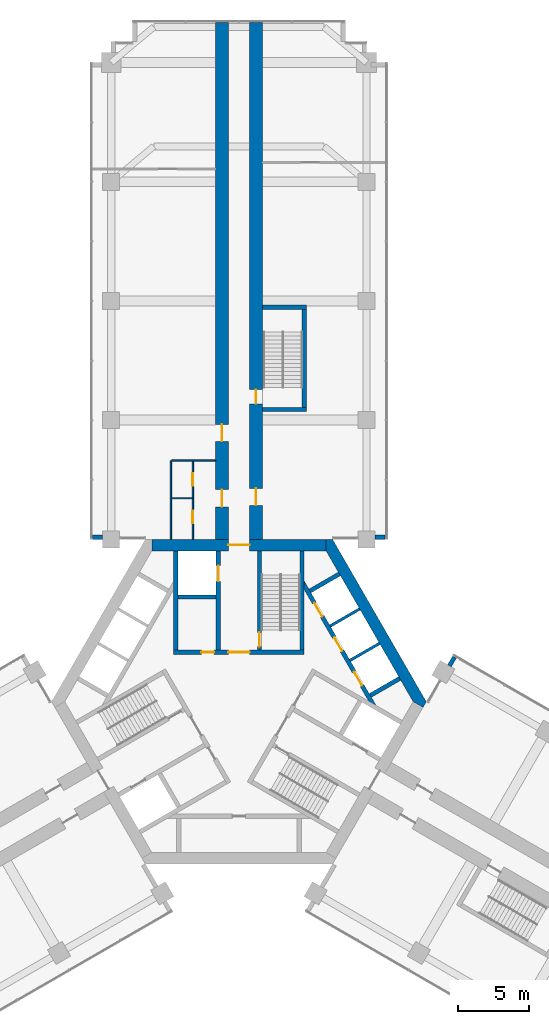
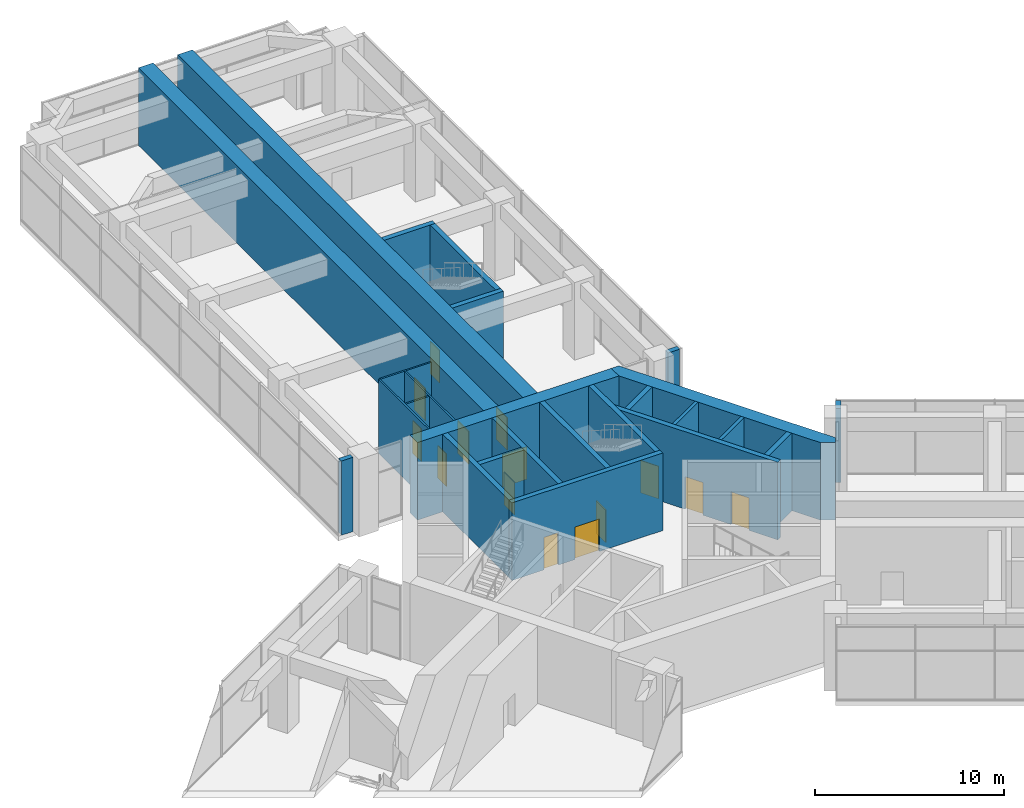
# One storey, part 17 of 20: 25 walls, 14 doors, 14 openings.
"""IFC4 building model written with IfcOpenShell, lengths in metres."""

from ifc_helpers import new_model, si_unit, direction, frame, frame_2d, origin, place, context, subcontext, project, spatial, polyline, rectangle, outline, extrude, material, layer, layer_set, type_object, element, fill, save


model = new_model("IFC4")

# Units and contexts
model_context = context("Model", 3, precision=1e-05, world=origin(), true_north=direction((0.0, 1.0)))
body_context = subcontext(model_context, "Body", "Model", "MODEL_VIEW")
ifc_project = project(units=[si_unit("LENGTHUNIT", "METRE"), si_unit("AREAUNIT", "SQUARE_METRE"), si_unit("VOLUMEUNIT", "CUBIC_METRE"), si_unit("PLANEANGLEUNIT", "RADIAN"), si_unit("MASSUNIT", "GRAM", prefix="KILO")], contexts=[model_context])

# Site, building, storey
site_placement = place(None, origin())
site = spatial("IfcSite", under=ifc_project, at=site_placement, CompositionType="ELEMENT")
building_placement = place(site_placement, origin())
building = spatial("IfcBuilding", under=site, at=building_placement, Name="Impinga Residences", CompositionType="ELEMENT")
storey_placement = place(building_placement, frame((0.0, 0.0, 101.0)))
storey = spatial("IfcBuildingStorey", under=building, at=storey_placement, Name="L24", CompositionType="ELEMENT", Elevation=101.0)

# Wall, openings, doors
ifc_material_1 = material(Name="Concrete C60/75", Category="concrete")
ifc_layer_1 = layer(ifc_material_1, 0.89990234375)
ifc_layer_set_1 = layer_set([ifc_layer_1], Name="Concrete C60/75")
wall_type_1 = type_object("IfcWallType", Name="BW2 corridor buttress wall, L24 to L44 900", PredefinedType="SHEAR", material=ifc_layer_set_1)
wall_1_placement = place(storey_placement, frame((-1.199951171875, 11.031494140625, 0.0), z_axis=(0.0, 0.0, 1.0), x_axis=(0.0, 1.0, 0.0)))
wall_1 = element("IfcWall", 1, at=wall_1_placement, inside=storey, type_object=wall_type_1, Name="Corridor wall BW2 NC L24", PredefinedType="SHEAR", context=body_context, shape_type="SweptSolid", body=[
    extrude(rectangle(XDim=36.838134765625, YDim=0.89990234375, at=frame_2d((18.4189453125, 0.0))), origin(), (0.0, 0.0, 1.0), 5.0),
])
opening_1_placement = place(wall_1_placement, frame((2.699951171875, 0.0, 0.0)))
opening_1 = element("IfcOpeningElement", 2, at=opening_1_placement, cuts=wall_1, Name="Opening D3", PredefinedType="OPENING", context=body_context, shape_type="SweptSolid", body=[
    extrude(rectangle(XDim=1.199951171875, YDim=2.10009765625, at=frame_2d((0.60009765625, 1.050048828125))), frame((0.0, 0.4599609375, 0.0), z_axis=(0.0, -1.0, 0.0), x_axis=(1.0, 0.0, 0.0)), (0.0, 0.0, 1.0), 0.919921875),
])
opening_2_placement = place(wall_1_placement, frame((7.300048828125, 0.0, 0.0)))
opening_2 = element("IfcOpeningElement", 3, at=opening_2_placement, cuts=wall_1, Name="Opening D3", PredefinedType="OPENING", context=body_context, shape_type="SweptSolid", body=[
    extrude(rectangle(XDim=1.199951171875, YDim=2.10009765625, at=frame_2d((0.60009765625, 1.050048828125))), frame((0.0, 0.4599609375, 0.0), z_axis=(0.0, -1.0, 0.0), x_axis=(1.0, 0.0, 0.0)), (0.0, 0.0, 1.0), 0.919921875),
])
ifc_material_2 = material(Name="Timber door set", Category="wood")
door_type_1 = type_object("IfcDoorType", Name="D3 room door, leaf and a half 1200x2100", OperationType="DOUBLE_SWING_LEFT", PredefinedType="DOOR", material=ifc_material_2)
door_1_placement = place(opening_1_placement, origin())
door_1 = element("IfcDoor", 4, at=door_1_placement, inside=storey, type_object=door_type_1, Name="WC lobby door L24-NA1", OperationType="DOUBLE_SWING_LEFT", OverallHeight=2.10009765625, OverallWidth=1.199951171875, PredefinedType="DOOR", context=body_context, shape_type="SweptSolid", body=[
    extrude(rectangle(XDim=1.199951171875, YDim=2.10009765625, at=frame_2d((0.60009765625, 1.050048828125))), frame((0.0, 0.02490234375, 0.0), z_axis=(0.0, -1.0, 0.0), x_axis=(1.0, 0.0, 0.0)), (0.0, 0.0, 1.0), 0.050048828125),
])
fill(opening_1, door_1)
door_2_placement = place(opening_2_placement, origin())
door_2 = element("IfcDoor", 5, at=door_2_placement, inside=storey, type_object=door_type_1, Name="Sky lounge door L24-NA1", OperationType="DOUBLE_SWING_LEFT", OverallHeight=2.10009765625, OverallWidth=1.199951171875, PredefinedType="DOOR", context=body_context, shape_type="SweptSolid", body=[
    extrude(rectangle(XDim=1.199951171875, YDim=2.10009765625, at=frame_2d((0.60009765625, 1.050048828125))), frame((0.0, 0.02490234375, 0.0), z_axis=(0.0, -1.0, 0.0), x_axis=(1.0, 0.0, 0.0)), (0.0, 0.0, 1.0), 0.050048828125),
])
fill(opening_2, door_2)

wall_2_placement = place(storey_placement, frame((1.199951171875, 11.031494140625, 0.0), z_axis=(0.0, 0.0, 1.0), x_axis=(0.0, 1.0, 0.0)))
wall_2 = element("IfcWall", 6, at=wall_2_placement, inside=storey, type_object=wall_type_1, Name="Corridor wall BW2 ND L24", PredefinedType="SHEAR", context=body_context, shape_type="SweptSolid", body=[
    extrude(rectangle(XDim=36.838134765625, YDim=0.89990234375, at=frame_2d((18.4189453125, 0.0))), origin(), (0.0, 0.0, 1.0), 5.0),
])
opening_3_placement = place(wall_2_placement, frame((9.949951171875, 0.0, 0.0)))
opening_3 = element("IfcOpeningElement", 7, at=opening_3_placement, cuts=wall_2, Name="Opening D5", PredefinedType="OPENING", context=body_context, shape_type="SweptSolid", body=[
    extrude(rectangle(XDim=1.0, YDim=2.10009765625, at=frame_2d((0.5, 1.050048828125))), frame((0.0, 0.4599609375, 0.0), z_axis=(0.0, -1.0, 0.0), x_axis=(1.0, 0.0, 0.0)), (0.0, 0.0, 1.0), 0.919921875),
])
opening_4_placement = place(wall_2_placement, frame((2.800048828125, 0.0, 0.0)))
opening_4 = element("IfcOpeningElement", 8, at=opening_4_placement, cuts=wall_2, Name="Opening D3", PredefinedType="OPENING", context=body_context, shape_type="SweptSolid", body=[
    extrude(rectangle(XDim=1.199951171875, YDim=2.10009765625, at=frame_2d((0.60009765625, 1.050048828125))), frame((0.0, 0.4599609375, 0.0), z_axis=(0.0, -1.0, 0.0), x_axis=(1.0, 0.0, 0.0)), (0.0, 0.0, 1.0), 0.919921875),
])
door_3_placement = place(opening_4_placement, origin())
door_3 = element("IfcDoor", 9, at=door_3_placement, inside=storey, type_object=door_type_1, Name="Sky library door L24-NF1", OperationType="DOUBLE_SWING_LEFT", OverallHeight=2.10009765625, OverallWidth=1.199951171875, PredefinedType="DOOR", context=body_context, shape_type="SweptSolid", body=[
    extrude(rectangle(XDim=1.199951171875, YDim=2.10009765625, at=frame_2d((0.60009765625, 1.050048828125))), frame((0.0, 0.02490234375, 0.0), z_axis=(0.0, -1.0, 0.0), x_axis=(1.0, 0.0, 0.0)), (0.0, 0.0, 1.0), 0.050048828125),
])
fill(opening_4, door_3)
door_type_2 = type_object("IfcDoorType", Name="D5 stair door 1000x2100", OperationType="SINGLE_SWING_LEFT", PredefinedType="DOOR", material=ifc_material_2)
door_4_placement = place(opening_3_placement, origin())
door_4 = element("IfcDoor", 10, at=door_4_placement, inside=storey, type_object=door_type_2, Name="Wing stair door N", OperationType="SINGLE_SWING_LEFT", OverallHeight=2.10009765625, OverallWidth=1.0, PredefinedType="DOOR", context=body_context, shape_type="SweptSolid", body=[
    extrude(rectangle(XDim=1.0, YDim=2.10009765625, at=frame_2d((0.5, 1.050048828125))), frame((0.0, 0.02490234375, 0.0), z_axis=(0.0, -1.0, 0.0), x_axis=(1.0, 0.0, 0.0)), (0.0, 0.0, 1.0), 0.050048828125),
])
fill(opening_3, door_4)

# Walls
ifc_material_3 = material(Name="Stone facing on blockwork", Category="masonry")
ifc_layer_2 = layer(ifc_material_3, 0.300048828125)
ifc_layer_set_2 = layer_set([ifc_layer_2], Name="EW2 external wall, stone facing on blockwork 300")
wall_type_2 = type_object("IfcWallType", Name="EW2 external wall, stone facing on blockwork 300", PredefinedType="SOLIDWALL", material=ifc_layer_set_2)
for number, where, z_axis, x_axis, name in (
    (11, (-9.60302734375, 11.58154296875, 0.0), (0.0, 0.0, 1.0), (-1.0, 0.0, 0.0), "External wall EW2 L24"),
    (12, (10.304931640625, 11.58154296875, 0.0), (0.0, 0.0, 1.0), (-1.0, 0.0, 0.0), "External wall EW2 L24"),
    (13, (14.831298828125, 2.525634765625, 0.0), (0.0, 0.0, 1.0), (0.500103763521, 0.865965487599, 0.0), "External wall EW2 L24"),
):
    element("IfcWall", number, at=place(storey_placement, frame(where, z_axis=z_axis, x_axis=x_axis)), inside=storey, type_object=wall_type_2, Name=name, PredefinedType="SOLIDWALL", context=body_context, shape_type="SweptSolid", body=[
        extrude(rectangle(XDim=0.701904296875, YDim=0.300048828125, at=frame_2d((0.35107421875, 0.0))), origin(), (0.0, 0.0, 1.0), 4.780029296875),
    ])

# Wall, openings, doors
ifc_material_4 = material(Name="Gypsum board on steel studs", Category="steel")
ifc_layer_3 = layer(ifc_material_4, 0.10009765625)
ifc_layer_set_3 = layer_set([ifc_layer_3], Name="Gypsum board on steel studs")
wall_type_3 = type_object("IfcWallType", Name="IP1 partition 100", PredefinedType="PARTITIONING", material=ifc_layer_set_3)
wall_3_placement = place(storey_placement, frame((-3.25, 11.431640625, 0.0), z_axis=(0.0, 0.0, 1.0), x_axis=(0.0, 1.0, 0.0)))
wall_3 = element("IfcWall", 14, at=wall_3_placement, inside=storey, type_object=wall_type_3, Name="Partition L24-NA1:L1", PredefinedType="PARTITIONING", context=body_context, shape_type="SweptSolid", body=[
    extrude(rectangle(XDim=5.599853515625, YDim=0.10009765625, at=frame_2d((2.7998046875, 0.0))), origin(), (0.0, 0.0, 1.0), 4.780029296875),
])
opening_5_placement = place(wall_3_placement, frame((1.125, 0.0, 0.0)))
opening_5 = element("IfcOpeningElement", 15, at=opening_5_placement, cuts=wall_3, Name="Opening D2", PredefinedType="OPENING", context=body_context, shape_type="SweptSolid", body=[
    extrude(rectangle(XDim=0.89990234375, YDim=2.10009765625, at=frame_2d((0.449951171875, 1.050048828125))), frame((0.0, 0.06005859375, 0.0), z_axis=(0.0, -1.0, 0.0), x_axis=(1.0, 0.0, 0.0)), (0.0, 0.0, 1.0), 0.1201171875),
])
opening_6_placement = place(wall_3_placement, frame((3.77490234375, 0.0, 0.0)))
opening_6 = element("IfcOpeningElement", 16, at=opening_6_placement, cuts=wall_3, Name="Opening D2", PredefinedType="OPENING", context=body_context, shape_type="SweptSolid", body=[
    extrude(rectangle(XDim=0.89990234375, YDim=2.10009765625, at=frame_2d((0.449951171875, 1.050048828125))), frame((0.0, 0.06005859375, 0.0), z_axis=(0.0, -1.0, 0.0), x_axis=(1.0, 0.0, 0.0)), (0.0, 0.0, 1.0), 0.1201171875),
])
door_type_3 = type_object("IfcDoorType", Name="D2 internal door 900x2100", OperationType="SINGLE_SWING_LEFT", PredefinedType="DOOR", material=ifc_material_2)
door_5_placement = place(opening_5_placement, origin())
door_5 = element("IfcDoor", 17, at=door_5_placement, inside=storey, type_object=door_type_3, Name="WC door L24-NA1", OperationType="SINGLE_SWING_LEFT", OverallHeight=2.10009765625, OverallWidth=0.89990234375, PredefinedType="DOOR", context=body_context, shape_type="SweptSolid", body=[
    extrude(rectangle(XDim=0.89990234375, YDim=2.10009765625, at=frame_2d((0.449951171875, 1.050048828125))), frame((0.0, 0.02490234375, 0.0), z_axis=(0.0, -1.0, 0.0), x_axis=(1.0, 0.0, 0.0)), (0.0, 0.0, 1.0), 0.050048828125),
])
fill(opening_5, door_5)
door_6_placement = place(opening_6_placement, origin())
door_6 = element("IfcDoor", 18, at=door_6_placement, inside=storey, type_object=door_type_3, Name="Accessible WC door L24-NA1", OperationType="SINGLE_SWING_RIGHT", OverallHeight=2.10009765625, OverallWidth=0.89990234375, PredefinedType="DOOR", context=body_context, shape_type="SweptSolid", body=[
    extrude(rectangle(XDim=0.89990234375, YDim=2.10009765625, at=frame_2d((0.449951171875, 1.050048828125))), frame((0.0, 0.02490234375, 0.0), z_axis=(0.0, -1.0, 0.0), x_axis=(1.0, 0.0, 0.0)), (0.0, 0.0, 1.0), 0.050048828125),
])
fill(opening_6, door_6)

# Walls
wall_4_placement = place(storey_placement, frame((-3.300048828125, 14.33154296875, 0.0), z_axis=(0.0, 0.0, 1.0), x_axis=(-1.0, 0.0, 0.0)))
element("IfcWall", 19, at=wall_4_placement, inside=storey, type_object=wall_type_3, Name="Partition L24-NA1:T1", PredefinedType="PARTITIONING", context=body_context, shape_type="SweptSolid", body=[
    extrude(rectangle(XDim=1.449951171875, YDim=0.10009765625, at=frame_2d((0.72509765625, 0.0))), origin(), (0.0, 0.0, 1.0), 4.780029296875),
])
wall_5_placement = place(storey_placement, frame((-4.800048828125, 11.431640625, 0.0), z_axis=(0.0, 0.0, 1.0), x_axis=(0.0, 1.0, 0.0)))
element("IfcWall", 20, at=wall_5_placement, inside=storey, type_object=wall_type_3, Name="Partition L24-NA1:T2", PredefinedType="PARTITIONING", context=body_context, shape_type="SweptSolid", body=[
    extrude(rectangle(XDim=5.5498046875, YDim=0.10009765625, at=frame_2d((2.77490234375, 0.0))), origin(), (0.0, 0.0, 1.0), 4.780029296875),
])
wall_6_placement = place(storey_placement, frame((-1.64990234375, 16.9814453125, 0.0), z_axis=(0.0, 0.0, 1.0), x_axis=(-1.0, 0.0, 0.0)))
element("IfcWall", 21, at=wall_6_placement, inside=storey, type_object=wall_type_3, Name="Partition L24-NA1:T3", PredefinedType="PARTITIONING", context=body_context, shape_type="SweptSolid", body=[
    extrude(rectangle(XDim=3.10009765625, YDim=0.10009765625, at=frame_2d((1.550048828125, 0.0))), origin(), (0.0, 0.0, 1.0), 4.780029296875),
])
ifc_layer_4 = layer(ifc_material_1, 0.300048828125)
ifc_layer_set_4 = layer_set([ifc_layer_4], Name="Concrete C60/75")
wall_type_4 = type_object("IfcWallType", Name="SE1 wing stair enclosure wall 300", PredefinedType="SOLIDWALL", material=ifc_layer_set_4)
for number, where, z_axis, x_axis, name in (
    (22, (1.64990234375, 20.58154296875, 0.0), (0.0, 0.0, 1.0), (1.0, 0.0, 0.0), "Stair enclosure wall SE1 N END0 L24"),
    (23, (1.64990234375, 27.781494140625, 0.0), (0.0, 0.0, 1.0), (1.0, 0.0, 0.0), "Stair enclosure wall SE1 N END1 L24"),
):
    element("IfcWall", number, at=place(storey_placement, frame(where, z_axis=z_axis, x_axis=x_axis)), inside=storey, type_object=wall_type_4, Name=name, PredefinedType="SOLIDWALL", context=body_context, shape_type="SweptSolid", body=[
        extrude(rectangle(XDim=3.10009765625, YDim=0.300048828125, at=frame_2d((1.550048828125, 0.0))), origin(), (0.0, 0.0, 1.0), 5.0),
    ])
wall_7_placement = place(storey_placement, frame((4.60009765625, 20.7314453125, 0.0), z_axis=(0.0, 0.0, 1.0), x_axis=(0.0, 1.0, 0.0)))
element("IfcWall", 24, at=wall_7_placement, inside=storey, type_object=wall_type_4, Name="Stair enclosure wall SE1 N OUT L24", PredefinedType="SOLIDWALL", context=body_context, shape_type="SweptSolid", body=[
    extrude(rectangle(XDim=6.900146484375, YDim=0.300048828125, at=frame_2d((3.4501953125, 0.0))), origin(), (0.0, 0.0, 1.0), 5.0),
])

# Wall, opening, door
ifc_layer_5 = layer(ifc_material_1, 0.800048828125)
ifc_layer_set_5 = layer_set([ifc_layer_5], Name="Concrete C60/75")
wall_type_5 = type_object("IfcWallType", Name="SW2 core wall 800", PredefinedType="SHEAR", material=ifc_layer_set_5)
wall_8_placement = place(storey_placement, frame((-6.13818359375, 11.031494140625, 0.0), z_axis=(0.0, 0.0, 1.0), x_axis=(1.0, 0.0, 0.0)))
wall_8 = element("IfcWall", 25, at=wall_8_placement, inside=storey, type_object=wall_type_5, Name="Core wall SW2 N:FACE L24", PredefinedType="SHEAR", context=body_context, shape_type="SweptSolid", body=[
    extrude(rectangle(XDim=12.2763671875, YDim=0.800048828125, at=frame_2d((6.13818359375, 0.0))), origin(), (0.0, 0.0, 1.0), 5.0),
])
opening_7_placement = place(wall_8_placement, frame((5.38818359375, 0.0, 0.0)))
opening_7 = element("IfcOpeningElement", 26, at=opening_7_placement, cuts=wall_8, Name="Opening D4", PredefinedType="OPENING", context=body_context, shape_type="SweptSolid", body=[
    extrude(rectangle(XDim=1.5, YDim=2.10009765625, at=frame_2d((0.75, 1.050048828125))), frame((0.0, 0.409912109375, 0.0), z_axis=(0.0, -1.0, 0.0), x_axis=(1.0, 0.0, 0.0)), (0.0, 0.0, 1.0), 0.820068359375),
])
door_type_4 = type_object("IfcDoorType", Name="D4 lobby door pair 1500x2100", OperationType="DOUBLE_DOOR_DOUBLE_SWING", PredefinedType="DOOR", material=ifc_material_2)
door_7_placement = place(opening_7_placement, origin())
door_7 = element("IfcDoor", 27, at=door_7_placement, inside=storey, type_object=door_type_4, Name="Lobby door N", OperationType="DOUBLE_DOOR_DOUBLE_SWING", OverallHeight=2.10009765625, OverallWidth=1.5, PredefinedType="DOOR", context=body_context, shape_type="SweptSolid", body=[
    extrude(rectangle(XDim=1.5, YDim=2.10009765625, at=frame_2d((0.75, 1.050048828125))), frame((0.0, 0.02490234375, 0.0), z_axis=(0.0, -1.0, 0.0), x_axis=(1.0, 0.0, 0.0)), (0.0, 0.0, 1.0), 0.050048828125),
])
fill(opening_7, door_7)

# Wall
wall_9_placement = place(storey_placement, origin())
element("IfcWall", 28, at=wall_9_placement, inside=storey, type_object=wall_type_5, Name="Core wall SW2 W:EXPOSED L24", PredefinedType="SHEAR", context=body_context, shape_type="SweptSolid", body=[
    extrude(outline(polyline([(13.199951171875, 0.0), (6.60009765625, 11.431640625), (6.13818359375, 11.431640625), (6.13818359375, 10.631591796875), (12.276123046875, 0.0), (12.968994140625, -0.39990234375), (13.199951171875, 0.0)])), origin(), (0.0, 0.0, 1.0), 5.0),
])

# Wall, openings, doors
ifc_material_5 = material(Name="Concrete C70/85", Category="concrete")
ifc_layer_6 = layer(ifc_material_5, 0.300048828125)
ifc_layer_set_6 = layer_set([ifc_layer_6], Name="Concrete C70/85")
wall_type_6 = type_object("IfcWallType", Name="SW5 core inner wall, stairs, shafts and lobbies 300", PredefinedType="SHEAR", material=ifc_layer_set_6)
wall_10_placement = place(storey_placement, frame((-4.60009765625, 3.47998046875, 0.0), z_axis=(0.0, 0.0, 1.0), x_axis=(1.0, 0.0, 0.0)))
wall_10 = element("IfcWall", 29, at=wall_10_placement, inside=storey, type_object=wall_type_6, Name="Core wall SW5 N:ZONE L24", PredefinedType="SHEAR", context=body_context, shape_type="SweptSolid", body=[
    extrude(rectangle(XDim=9.2001953125, YDim=0.300048828125, at=frame_2d((4.60009765625, 0.0))), origin(), (0.0, 0.0, 1.0), 5.0),
])
opening_8_placement = place(wall_10_placement, frame((3.85009765625, 0.0, 0.0)))
opening_8 = element("IfcOpeningElement", 30, at=opening_8_placement, cuts=wall_10, Name="Opening D4", PredefinedType="OPENING", context=body_context, shape_type="SweptSolid", body=[
    extrude(rectangle(XDim=1.5, YDim=2.10009765625, at=frame_2d((0.75, 1.050048828125))), frame((0.0, 0.159912109375, 0.0), z_axis=(0.0, -1.0, 0.0), x_axis=(1.0, 0.0, 0.0)), (0.0, 0.0, 1.0), 0.320068359375),
])
opening_9_placement = place(wall_10_placement, frame((1.949951171875, 0.0, 0.0)))
opening_9 = element("IfcOpeningElement", 31, at=opening_9_placement, cuts=wall_10, Name="Opening D6", PredefinedType="OPENING", context=body_context, shape_type="SweptSolid", body=[
    extrude(rectangle(XDim=0.89990234375, YDim=2.10009765625, at=frame_2d((0.449951171875, 1.050048828125))), frame((0.0, 0.159912109375, 0.0), z_axis=(0.0, -1.0, 0.0), x_axis=(1.0, 0.0, 0.0)), (0.0, 0.0, 1.0), 0.320068359375),
])
door_8_placement = place(opening_8_placement, origin())
door_8 = element("IfcDoor", 32, at=door_8_placement, inside=storey, type_object=door_type_4, Name="Firefighting lobby door N", OperationType="DOUBLE_DOOR_DOUBLE_SWING", OverallHeight=2.10009765625, OverallWidth=1.5, PredefinedType="DOOR", context=body_context, shape_type="SweptSolid", body=[
    extrude(rectangle(XDim=1.5, YDim=2.10009765625, at=frame_2d((0.75, 1.050048828125))), frame((0.0, 0.02490234375, 0.0), z_axis=(0.0, -1.0, 0.0), x_axis=(1.0, 0.0, 0.0)), (0.0, 0.0, 1.0), 0.050048828125),
])
fill(opening_8, door_8)
door_type_5 = type_object("IfcDoorType", Name="D6 riser and store door 900x2100", OperationType="SINGLE_SWING_LEFT", PredefinedType="DOOR", material=ifc_material_2)
door_9_placement = place(opening_9_placement, origin())
door_9 = element("IfcDoor", 33, at=door_9_placement, inside=storey, type_object=door_type_5, Name="Riser door N", OperationType="SINGLE_SWING_LEFT", OverallHeight=2.10009765625, OverallWidth=0.89990234375, PredefinedType="DOOR", context=body_context, shape_type="SweptSolid", body=[
    extrude(rectangle(XDim=0.89990234375, YDim=2.10009765625, at=frame_2d((0.449951171875, 1.050048828125))), frame((0.0, 0.02490234375, 0.0), z_axis=(0.0, -1.0, 0.0), x_axis=(1.0, 0.0, 0.0)), (0.0, 0.0, 1.0), 0.050048828125),
])
fill(opening_9, door_9)

# Wall, opening, door
wall_11_placement = place(storey_placement, frame((1.449951171875, 3.6298828125, 0.0), z_axis=(0.0, 0.0, 1.0), x_axis=(0.0, 1.0, 0.0)))
wall_11 = element("IfcWall", 34, at=wall_11_placement, inside=storey, type_object=wall_type_6, Name="Core wall SW5 N:ST-IN L24", PredefinedType="SHEAR", context=body_context, shape_type="SweptSolid", body=[
    extrude(rectangle(XDim=7.001708984375, YDim=0.300048828125, at=frame_2d((3.5009765625, 0.0))), origin(), (0.0, 0.0, 1.0), 5.0),
])
opening_10_placement = place(wall_11_placement, frame((0.25, 0.0, 0.0)))
opening_10 = element("IfcOpeningElement", 35, at=opening_10_placement, cuts=wall_11, Name="Opening D5", PredefinedType="OPENING", context=body_context, shape_type="SweptSolid", body=[
    extrude(rectangle(XDim=1.0, YDim=2.10009765625, at=frame_2d((0.5, 1.050048828125))), frame((0.0, 0.159912109375, 0.0), z_axis=(0.0, -1.0, 0.0), x_axis=(1.0, 0.0, 0.0)), (0.0, 0.0, 1.0), 0.320068359375),
])
door_10_placement = place(opening_10_placement, origin())
door_10 = element("IfcDoor", 36, at=door_10_placement, inside=storey, type_object=door_type_2, Name="Stair door N", OperationType="SINGLE_SWING_LEFT", OverallHeight=2.10009765625, OverallWidth=1.0, PredefinedType="DOOR", context=body_context, shape_type="SweptSolid", body=[
    extrude(rectangle(XDim=1.0, YDim=2.10009765625, at=frame_2d((0.5, 1.050048828125))), frame((0.0, 0.02490234375, 0.0), z_axis=(0.0, -1.0, 0.0), x_axis=(1.0, 0.0, 0.0)), (0.0, 0.0, 1.0), 0.050048828125),
])
fill(opening_10, door_10)

# Wall
wall_12_placement = place(storey_placement, frame((4.449951171875, 3.6298828125, 0.0), z_axis=(0.0, 0.0, 1.0), x_axis=(0.0, 1.0, 0.0)))
element("IfcWall", 37, at=wall_12_placement, inside=storey, type_object=wall_type_6, Name="Core wall SW5 N:ST-OUT L24", PredefinedType="SHEAR", context=body_context, shape_type="SweptSolid", body=[
    extrude(rectangle(XDim=7.001708984375, YDim=0.300048828125, at=frame_2d((3.5009765625, 0.0))), origin(), (0.0, 0.0, 1.0), 5.0),
])

# Wall, opening, door
wall_13_placement = place(storey_placement, frame((-1.449951171875, 3.6298828125, 0.0), z_axis=(0.0, 0.0, 1.0), x_axis=(0.0, 1.0, 0.0)))
wall_13 = element("IfcWall", 38, at=wall_13_placement, inside=storey, type_object=wall_type_6, Name="Core wall SW5 N:FF-IN L24", PredefinedType="SHEAR", context=body_context, shape_type="SweptSolid", body=[
    extrude(rectangle(XDim=7.001708984375, YDim=0.300048828125, at=frame_2d((3.5009765625, 0.0))), origin(), (0.0, 0.0, 1.0), 5.0),
])
opening_11_placement = place(wall_13_placement, frame((4.85009765625, 0.0, 0.0)))
opening_11 = element("IfcOpeningElement", 39, at=opening_11_placement, cuts=wall_13, Name="Opening LD2", PredefinedType="OPENING", context=body_context, shape_type="SweptSolid", body=[
    extrude(rectangle(XDim=1.10009765625, YDim=2.10009765625, at=frame_2d((0.550048828125, 1.050048828125))), frame((0.0, 0.159912109375, 0.0), z_axis=(0.0, -1.0, 0.0), x_axis=(1.0, 0.0, 0.0)), (0.0, 0.0, 1.0), 0.320068359375),
])
ifc_material_6 = material(Name="Steel lift landing door", Category="steel")
door_type_6 = type_object("IfcDoorType", Name="LD2 firefighting lift landing door 1100x2100", OperationType="DOUBLE_DOOR_SLIDING", PredefinedType="DOOR", material=ifc_material_6)
door_11_placement = place(opening_11_placement, origin())
door_11 = element("IfcDoor", 40, at=door_11_placement, inside=storey, type_object=door_type_6, Name="Firefighting lift landing door F1", OperationType="DOUBLE_DOOR_SLIDING", OverallHeight=2.10009765625, OverallWidth=1.10009765625, PredefinedType="DOOR", context=body_context, shape_type="SweptSolid", body=[
    extrude(rectangle(XDim=1.10009765625, YDim=2.10009765625, at=frame_2d((0.550048828125, 1.050048828125))), frame((0.0, 0.02490234375, 0.0), z_axis=(0.0, -1.0, 0.0), x_axis=(1.0, 0.0, 0.0)), (0.0, 0.0, 1.0), 0.050048828125),
])
fill(opening_11, door_11)

# Walls
wall_14_placement = place(storey_placement, frame((-4.449951171875, 3.6298828125, 0.0), z_axis=(0.0, 0.0, 1.0), x_axis=(0.0, 1.0, 0.0)))
element("IfcWall", 41, at=wall_14_placement, inside=storey, type_object=wall_type_6, Name="Core wall SW5 N:FF-OUT L24", PredefinedType="SHEAR", context=body_context, shape_type="SweptSolid", body=[
    extrude(rectangle(XDim=7.001708984375, YDim=0.300048828125, at=frame_2d((3.5009765625, 0.0))), origin(), (0.0, 0.0, 1.0), 5.0),
])
wall_15_placement = place(storey_placement, frame((-4.300048828125, 7.3798828125, 0.0), z_axis=(0.0, 0.0, 1.0), x_axis=(1.0, 0.0, 0.0)))
element("IfcWall", 42, at=wall_15_placement, inside=storey, type_object=wall_type_6, Name="Core wall SW5 N:FF-RS L24", PredefinedType="SHEAR", context=body_context, shape_type="SweptSolid", body=[
    extrude(rectangle(XDim=2.699951171875, YDim=0.300048828125, at=frame_2d((1.35009765625, 0.0))), origin(), (0.0, 0.0, 1.0), 5.0),
])

# Wall, openings, doors
wall_16_placement = place(storey_placement, frame((4.449951171875, 8.455322265625, 0.0), z_axis=(0.0, 0.0, 1.0), x_axis=(0.500002290144, -0.866024081565, 0.0)))
wall_16 = element("IfcWall", 43, at=wall_16_placement, inside=storey, type_object=wall_type_6, Name="Core wall SW5 W:BANK-FRONT L24", PredefinedType="SHEAR", context=body_context, shape_type="SweptSolid", body=[
    extrude(rectangle(XDim=10.1953125, YDim=0.300048828125, at=frame_2d((5.09765625, 0.0))), origin(), (0.0, 0.0, 1.0), 5.0),
])
opening_12_placement = place(wall_16_placement, frame((1.74755859375, 0.0, 0.0)))
opening_12 = element("IfcOpeningElement", 44, at=opening_12_placement, cuts=wall_16, Name="Opening LD1", PredefinedType="OPENING", context=body_context, shape_type="SweptSolid", body=[
    extrude(rectangle(XDim=1.10009765625, YDim=2.10009765625, at=frame_2d((0.550048828125, 1.050048828125))), frame((0.0, 0.159912109375, 0.0), z_axis=(0.0, -1.0, 0.0), x_axis=(1.0, 0.0, 0.0)), (0.0, 0.0, 1.0), 0.320068359375),
])
opening_13_placement = place(wall_16_placement, frame((4.547607421875, 0.0, 0.0)))
opening_13 = element("IfcOpeningElement", 45, at=opening_13_placement, cuts=wall_16, Name="Opening LD1", PredefinedType="OPENING", context=body_context, shape_type="SweptSolid", body=[
    extrude(rectangle(XDim=1.10009765625, YDim=2.10009765625, at=frame_2d((0.550048828125, 1.050048828125))), frame((0.0, 0.159912109375, 0.0), z_axis=(0.0, -1.0, 0.0), x_axis=(1.0, 0.0, 0.0)), (0.0, 0.0, 1.0), 0.320068359375),
])
opening_14_placement = place(wall_16_placement, frame((7.34765625, 0.0, 0.0)))
opening_14 = element("IfcOpeningElement", 46, at=opening_14_placement, cuts=wall_16, Name="Opening LD1", PredefinedType="OPENING", context=body_context, shape_type="SweptSolid", body=[
    extrude(rectangle(XDim=1.10009765625, YDim=2.10009765625, at=frame_2d((0.550048828125, 1.050048828125))), frame((0.0, 0.159912109375, 0.0), z_axis=(0.0, -1.0, 0.0), x_axis=(1.0, 0.0, 0.0)), (0.0, 0.0, 1.0), 0.320068359375),
])
door_type_7 = type_object("IfcDoorType", Name="LD1 passenger lift landing door 1100x2100", OperationType="DOUBLE_DOOR_SLIDING", PredefinedType="DOOR", material=ifc_material_6)
door_12_placement = place(opening_12_placement, origin())
door_12 = element("IfcDoor", 47, at=door_12_placement, inside=storey, type_object=door_type_7, Name="Lift landing door P4", OperationType="DOUBLE_DOOR_SLIDING", OverallHeight=2.10009765625, OverallWidth=1.10009765625, PredefinedType="DOOR", context=body_context, shape_type="SweptSolid", body=[
    extrude(rectangle(XDim=1.10009765625, YDim=2.10009765625, at=frame_2d((0.550048828125, 1.050048828125))), frame((0.0, 0.02490234375, 0.0), z_axis=(0.0, -1.0, 0.0), x_axis=(1.0, 0.0, 0.0)), (0.0, 0.0, 1.0), 0.050048828125),
])
fill(opening_12, door_12)
door_13_placement = place(opening_13_placement, origin())
door_13 = element("IfcDoor", 48, at=door_13_placement, inside=storey, type_object=door_type_7, Name="Lift landing door P5", OperationType="DOUBLE_DOOR_SLIDING", OverallHeight=2.10009765625, OverallWidth=1.10009765625, PredefinedType="DOOR", context=body_context, shape_type="SweptSolid", body=[
    extrude(rectangle(XDim=1.10009765625, YDim=2.10009765625, at=frame_2d((0.550048828125, 1.050048828125))), frame((0.0, 0.02490234375, 0.0), z_axis=(0.0, -1.0, 0.0), x_axis=(1.0, 0.0, 0.0)), (0.0, 0.0, 1.0), 0.050048828125),
])
fill(opening_13, door_13)
door_14_placement = place(opening_14_placement, origin())
door_14 = element("IfcDoor", 49, at=door_14_placement, inside=storey, type_object=door_type_7, Name="Lift landing door P6", OperationType="DOUBLE_DOOR_SLIDING", OverallHeight=2.10009765625, OverallWidth=1.10009765625, PredefinedType="DOOR", context=body_context, shape_type="SweptSolid", body=[
    extrude(rectangle(XDim=1.10009765625, YDim=2.10009765625, at=frame_2d((0.550048828125, 1.050048828125))), frame((0.0, 0.02490234375, 0.0), z_axis=(0.0, -1.0, 0.0), x_axis=(1.0, 0.0, 0.0)), (0.0, 0.0, 1.0), 0.050048828125),
])
fill(opening_14, door_14)

# Walls
for number, where, z_axis, x_axis, name in (
    (50, (5.003662109375, 7.79638671875, 0.0), (0.0, 0.0, 1.0), (0.866050077142, 0.499957262057, 0.0), "Core wall SW5 W:BANK-L L24"),
    (51, (9.253662109375, 0.43505859375, 0.0), (0.0, 0.0, 1.0), (0.866006032174, 0.500033551112, 0.0), "Core wall SW5 W:BANK-R L24"),
):
    element("IfcWall", number, at=place(storey_placement, frame(where, z_axis=z_axis, x_axis=x_axis)), inside=storey, type_object=wall_type_6, Name=name, PredefinedType="SHEAR", context=body_context, shape_type="SweptSolid", body=[
        extrude(rectangle(XDim=2.400146484375, YDim=0.300048828125, at=frame_2d((1.2001953125, 0.0))), origin(), (0.0, 0.0, 1.0), 5.0),
    ])
ifc_layer_7 = layer(ifc_material_5, 0.199951171875)
ifc_layer_set_7 = layer_set([ifc_layer_7], Name="Concrete C70/85")
wall_type_7 = type_object("IfcWallType", Name="SW6 lift shaft divider wall 200", PredefinedType="SHEAR", material=ifc_layer_set_7)
wall_17_placement = place(storey_placement, frame((6.4287109375, 5.328125, 0.0), z_axis=(0.0, 0.0, 1.0), x_axis=(0.865980596518, 0.500077600433, 0.0)))
element("IfcWall", 52, at=wall_17_placement, inside=storey, type_object=wall_type_7, Name="Core wall SW6 W:BANK-D1 L24", PredefinedType="SHEAR", context=body_context, shape_type="SweptSolid", body=[
    extrude(rectangle(XDim=2.39990234375, YDim=0.199951171875, at=frame_2d((1.199951171875, 0.0))), origin(), (0.0, 0.0, 1.0), 5.0),
])
wall_18_placement = place(storey_placement, frame((7.82861328125, 2.9033203125, 0.0), z_axis=(0.0, 0.0, 1.0), x_axis=(0.866050077142, 0.499957262057, 0.0)))
element("IfcWall", 53, at=wall_18_placement, inside=storey, type_object=wall_type_7, Name="Core wall SW6 W:BANK-D2 L24", PredefinedType="SHEAR", context=body_context, shape_type="SweptSolid", body=[
    extrude(rectangle(XDim=2.400146484375, YDim=0.199951171875, at=frame_2d((1.2001953125, 0.0))), origin(), (0.0, 0.0, 1.0), 5.0),
])

save(model, "model.ifc")
